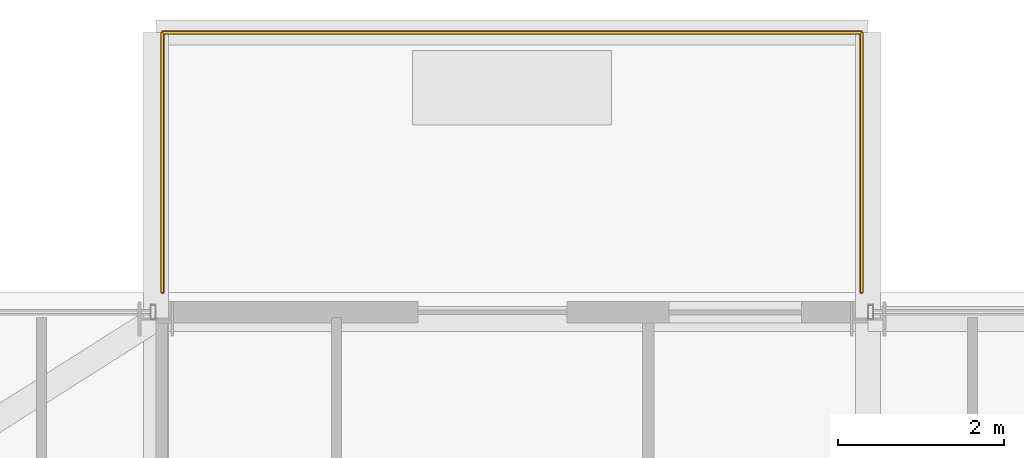
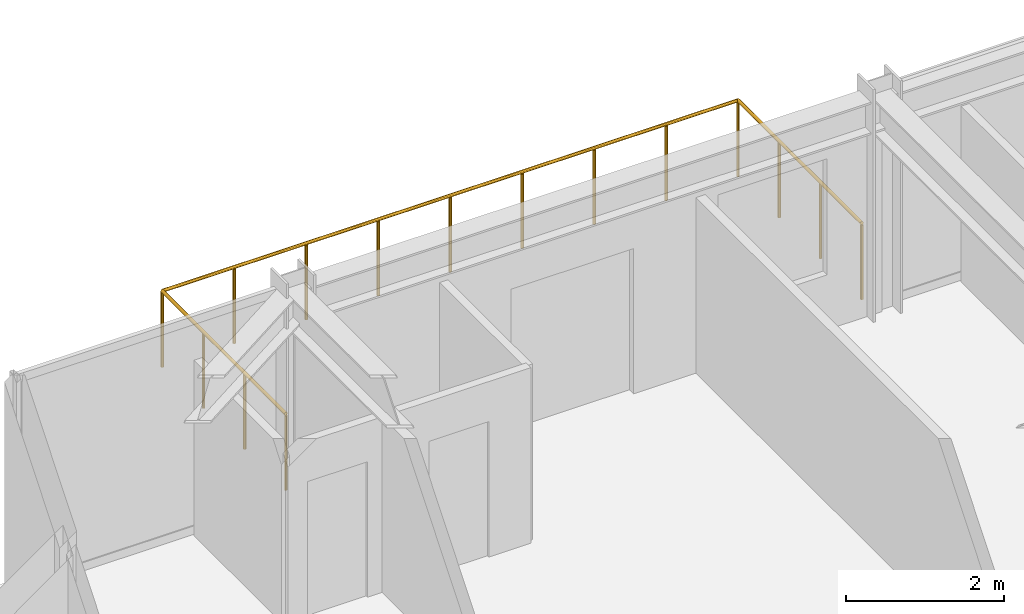
# One storey, part 33 of 34: 1 railing.
"""IFC4 building model written with IfcOpenShell, lengths in metres."""

import ifcopenshell
import ifcopenshell.guid

model = None  # the IFC model being written
_history = None  # IfcOwnerHistory: only IFC2X3 demands one
_inside = {}  # id of a spatial element -> (the spatial element, [elements in it])
_under = {}  # id of a project, library or spatial element -> (it, [spatial elements below it])
_declared = {}  # id of a project -> (the project, [libraries it declares])
_typed = {}  # id of a type object -> (the type object, [elements of that type])
_made_of = {}  # id of a material, layer set ... -> (it, [elements and type objects made of it])


def new_model(schema):
    """Start an empty IFC model of exactly this schema.

    Asked for "IFC4X3", IfcOpenShell would pick the latest addendum, in which some entities
    have other attributes; the version numbers below select the first issue.
    IFC2X3 requires an IfcOwnerHistory on every rooted entity: one is made here for all.
    """
    global model, _history
    if schema == "IFC4X3":
        model = ifcopenshell.file(schema_version=(4, 3, 0, 0))
    else:
        model = ifcopenshell.file(schema=schema)
    _inside.clear()
    _under.clear()
    _declared.clear()
    _typed.clear()
    _made_of.clear()
    _history = None
    if model.schema == "IFC2X3":
        org = make("IfcOrganization", Name="unknown")
        user = make(
            "IfcPersonAndOrganization",
            ThePerson=make("IfcPerson", FamilyName="unknown"),
            TheOrganization=org,
        )
        app = make(
            "IfcApplication",
            ApplicationDeveloper=org,
            Version="unknown",
            ApplicationFullName="unknown",
            ApplicationIdentifier="unknown",
        )
        _history = make(
            "IfcOwnerHistory",
            OwningUser=user,
            OwningApplication=app,
            ChangeAction="ADDED",
            CreationDate=0,
        )
    return model


def make(cls, **values):
    """One entity of the class cls with the attributes given. An attribute that is None is left unset."""
    return model.create_entity(
        cls, **{name: value for name, value in values.items() if value is not None}
    )


def rooted(cls, **values):
    """An entity with a GlobalId (a new one), such as an element, a storey or a relation."""
    return make(cls, GlobalId=ifcopenshell.guid.new(), OwnerHistory=_history, **values)


def si_unit(unit_type, name, prefix=None):
    """IfcSIUnit, for example si_unit("LENGTHUNIT", "METRE", prefix="MILLI")."""
    return make("IfcSIUnit", UnitType=unit_type, Prefix=prefix, Name=name)


def assignment(units):
    """IfcUnitAssignment: the units of a project."""
    return None if units is None else make("IfcUnitAssignment", Units=units)


def point(xyz):
    """IfcCartesianPoint."""
    return None if xyz is None else make("IfcCartesianPoint", Coordinates=xyz)


def direction(xyz):
    """IfcDirection."""
    return None if xyz is None else make("IfcDirection", DirectionRatios=xyz)


def frame(location, z_axis=None, x_axis=None):
    """IfcAxis2Placement3D, a coordinate frame: its origin and axes. An axis left out is left unset."""
    return make(
        "IfcAxis2Placement3D",
        Location=point(location),
        Axis=direction(z_axis),
        RefDirection=direction(x_axis),
    )


def frame_2d(location, x_axis=None):
    """IfcAxis2Placement2D, a coordinate frame in the plane: its origin and x axis."""
    return make(
        "IfcAxis2Placement2D", Location=point(location), RefDirection=direction(x_axis)
    )


def origin():
    """The frame at (0, 0, 0) with its axes left unset."""
    return frame((0.0, 0.0, 0.0))


def origin_2d():
    """The frame at (0, 0) in the plane with its x axis left unset."""
    return frame_2d((0.0, 0.0))


def place(relative_to, where):
    """IfcLocalPlacement: puts the frame where relative to a parent placement (None: the world)."""
    return make(
        "IfcLocalPlacement", PlacementRelTo=relative_to, RelativePlacement=where
    )


def context(
    kind, dimensions, precision=None, world=None, true_north=None, identifier=None
):
    """IfcGeometricRepresentationContext, for example the 3D "Model" context."""
    return make(
        "IfcGeometricRepresentationContext",
        ContextIdentifier=identifier,
        ContextType=kind,
        CoordinateSpaceDimension=dimensions,
        Precision=precision,
        WorldCoordinateSystem=world,
        TrueNorth=true_north,
    )


def subcontext(parent, identifier, kind, view, scale=None):
    """IfcGeometricRepresentationSubContext, for example "Body" below "Model"."""
    return make(
        "IfcGeometricRepresentationSubContext",
        ContextIdentifier=identifier,
        ContextType=kind,
        ParentContext=parent,
        TargetScale=scale,
        TargetView=view,
    )


def project(units=None, contexts=None):
    """IfcProject with its units and contexts."""
    return rooted(
        "IfcProject",
        Name="project",
        RepresentationContexts=contexts,
        UnitsInContext=assignment(units),
    )


def spatial(cls, under=None, at=None, **own):
    """A site, building, storey or space (cls), placed at a placement, below another one or the project."""
    s = rooted(cls, ObjectPlacement=at, **own)
    if under is not None:
        _under.setdefault(under.id(), (under, []))[1].append(s)
    return s


def profile(cls, at=None, kind="AREA", **sizes):
    """A parametric profile (cls). Its sizes go by their IFC names, for example OverallWidth=200.0."""
    return make(cls, ProfileType=kind, Position=at, **sizes)


def circle(**sizes):
    """IfcCircleProfileDef."""
    return profile("IfcCircleProfileDef", **sizes)


def extrude(swept, where, along, depth):
    """IfcExtrudedAreaSolid: the profile swept, set in the frame where, extruded along a direction by depth."""
    return make(
        "IfcExtrudedAreaSolid",
        SweptArea=swept,
        Position=where,
        ExtrudedDirection=direction(along),
        Depth=depth,
    )


def shape(context_of_items, identifier, shape_type, items):
    """IfcShapeRepresentation: the items that make up one representation, for example the "Body"."""
    return make(
        "IfcShapeRepresentation",
        ContextOfItems=context_of_items,
        RepresentationIdentifier=identifier,
        RepresentationType=shape_type,
        Items=items,
    )


def material(Name=None, Category=None):
    """IfcMaterial."""
    return make("IfcMaterial", Name=Name, Category=Category)


def made_of(thing, what):
    """Note that an element or type object is made of a material, layer set ...; save() writes the relation."""
    if what is not None:
        _made_of.setdefault(what.id(), (what, []))[1].append(thing)
    return thing


def type_object(cls, material=None, **own):
    """A type object (cls), such as IfcWallType, which elements share."""
    return made_of(rooted(cls, **own), material)


def element(
    cls,
    number,
    at=None,
    inside=None,
    cuts=None,
    type_object=None,
    material=None,
    context=None,
    identifier="Body",
    shape_type=None,
    held_by="IfcProductDefinitionShape",
    body=None,
    shapes=None,
    **own,
):
    """One element of the class cls, such as IfcWall. Its Tag is "e" and its number.

    at: its placement. inside: the storey or other place that contains it. cuts: it is an
    opening in that element (IfcRelVoidsElement). A single representation is given by context,
    identifier, shape_type and body (its items); several are given by shapes. held_by: the class
    of the entity that holds the representations. save() writes the other relations.
    """
    e = rooted(cls, Tag="e%d" % number, ObjectPlacement=at, **own)
    if body is not None:
        shapes = [shape(context, identifier, shape_type, body)]
    if shapes is not None:
        e.Representation = make(held_by, Representations=shapes)
    if inside is not None:
        _inside.setdefault(inside.id(), (inside, []))[1].append(e)
    if cuts is not None:
        rooted(
            "IfcRelVoidsElement", RelatingBuildingElement=cuts, RelatedOpeningElement=e
        )
    if type_object is not None:
        _typed.setdefault(type_object.id(), (type_object, []))[1].append(e)
    return made_of(e, material)


def aggregate(whole, parts):
    """IfcRelAggregates: a whole, such as a stair, and the parts it consists of."""
    return rooted("IfcRelAggregates", RelatingObject=whole, RelatedObjects=parts)


def save(model, path):
    """Write the relations noted so far, then the file.

    IfcRelAggregates (storeys below a building ...), IfcRelContainedInSpatialStructure (elements
    in a storey), IfcRelDefinesByType, IfcRelAssociatesMaterial and IfcRelDeclares: one each for
    every whole, place, type object, material and project.
    """
    for whole, parts in _under.values():
        aggregate(whole, parts)
    for where, things in _inside.values():
        rooted(
            "IfcRelContainedInSpatialStructure",
            RelatedElements=things,
            RelatingStructure=where,
        )
    for kind, things in _typed.values():
        rooted("IfcRelDefinesByType", RelatedObjects=things, RelatingType=kind)
    for what, things in _made_of.values():
        rooted("IfcRelAssociatesMaterial", RelatedObjects=things, RelatingMaterial=what)
    for by, libraries in _declared.values():
        rooted("IfcRelDeclares", RelatingContext=by, RelatedDefinitions=libraries)
    model.write(path)


model = new_model("IFC4")

# Units and contexts
model_context = context("Model", 3, precision=1e-05, world=origin(), true_north=direction((0.0, 1.0)))
body_context = subcontext(model_context, "Body", "Model", "MODEL_VIEW")
ifc_project = project(units=[si_unit("LENGTHUNIT", "METRE"), si_unit("AREAUNIT", "SQUARE_METRE"), si_unit("VOLUMEUNIT", "CUBIC_METRE"), si_unit("PLANEANGLEUNIT", "RADIAN"), si_unit("MASSUNIT", "GRAM", prefix="KILO")], contexts=[model_context])

# Site, building, storey
site_placement = place(None, origin())
site = spatial("IfcSite", under=ifc_project, at=site_placement, CompositionType="ELEMENT")
building_placement = place(site_placement, origin())
building = spatial("IfcBuilding", under=site, at=building_placement, Name="Nahalor Promenade Grand Hotel", CompositionType="ELEMENT")
storey_placement = place(building_placement, frame((0.0, 0.0, 99.25)))
storey = spatial("IfcBuildingStorey", under=building, at=storey_placement, Name="L24", CompositionType="ELEMENT", Elevation=99.25)

# Railing
ifc_material = material(Name="Anodised Bronze Aluminium EN AW-6063 T6", Category="aluminium")
railing_type = type_object("IfcRailingType", Name="Bronze Balcony Guardrail 1200 mm", PredefinedType="GUARDRAIL", material=ifc_material)
railing_placement = place(storey_placement, frame((-16.919921875, 24.10009765625, 0.0)))
element("IfcRailing", 1, at=railing_placement, inside=storey, type_object=railing_type, Name="L24 Balcony Guardrail 1", PredefinedType="GUARDRAIL", context=body_context, shape_type="SweptSolid", body=[
    extrude(circle(Radius=0.024048, at=origin_2d()), frame((0.0, 0.0, 1.17578125), z_axis=(0.0, 1.0, 0.0), x_axis=(-1.0, 0.0, 0.0)), (0.0, 0.0, 1.0), 3.137939453125),
    extrude(circle(Radius=0.024048, at=origin_2d()), frame((0.001953125, 3.139892578125, 1.17578125), z_axis=(1.0, 0.0, 0.0), x_axis=(0.0, 1.0, 0.0)), (0.0, 0.0, 1.0), 8.43603515625),
    extrude(circle(Radius=0.024048, at=origin_2d()), frame((8.43994140625, 3.137939453125, 1.17578125), z_axis=(0.0, -1.0, 0.0), x_axis=(1.0, 0.0, 0.0)), (0.0, 0.0, 1.0), 3.137939453125),
    extrude(circle(Radius=0.020996, at=origin_2d()), origin(), (0.0, 0.0, 1.0), 1.14990234375),
    extrude(circle(Radius=0.020996, at=origin_2d()), frame((0.0, 1.046630859375, 0.0)), (0.0, 0.0, 1.0), 1.14990234375),
    extrude(circle(Radius=0.020996, at=origin_2d()), frame((0.0, 2.09326171875, 0.0)), (0.0, 0.0, 1.0), 1.14990234375),
    extrude(circle(Radius=0.020996, at=origin_2d()), frame((0.0, 3.139892578125, 0.0)), (0.0, 0.0, 1.0), 1.14990234375),
    extrude(circle(Radius=0.020996, at=origin_2d()), frame((1.054931640625, 3.139892578125, 0.0)), (0.0, 0.0, 1.0), 1.14990234375),
    extrude(circle(Radius=0.020996, at=origin_2d()), frame((2.10986328125, 3.139892578125, 0.0)), (0.0, 0.0, 1.0), 1.14990234375),
    extrude(circle(Radius=0.020996, at=origin_2d()), frame((3.1650390625, 3.139892578125, 0.0)), (0.0, 0.0, 1.0), 1.14990234375),
    extrude(circle(Radius=0.020996, at=origin_2d()), frame((4.219970703125, 3.139892578125, 0.0)), (0.0, 0.0, 1.0), 1.14990234375),
    extrude(circle(Radius=0.020996, at=origin_2d()), frame((5.27490234375, 3.139892578125, 0.0)), (0.0, 0.0, 1.0), 1.14990234375),
    extrude(circle(Radius=0.020996, at=origin_2d()), frame((6.330078125, 3.139892578125, 0.0)), (0.0, 0.0, 1.0), 1.14990234375),
    extrude(circle(Radius=0.020996, at=origin_2d()), frame((7.385009765625, 3.139892578125, 0.0)), (0.0, 0.0, 1.0), 1.14990234375),
    extrude(circle(Radius=0.020996, at=origin_2d()), frame((8.43994140625, 3.139892578125, 0.0)), (0.0, 0.0, 1.0), 1.14990234375),
    extrude(circle(Radius=0.020996, at=origin_2d()), frame((8.43994140625, 2.09326171875, 0.0)), (0.0, 0.0, 1.0), 1.14990234375),
    extrude(circle(Radius=0.020996, at=origin_2d()), frame((8.43994140625, 1.046630859375, 0.0)), (0.0, 0.0, 1.0), 1.14990234375),
    extrude(circle(Radius=0.020996, at=origin_2d()), frame((8.43994140625, 0.0, 0.0)), (0.0, 0.0, 1.0), 1.14990234375),
])

save(model, "model.ifc")
